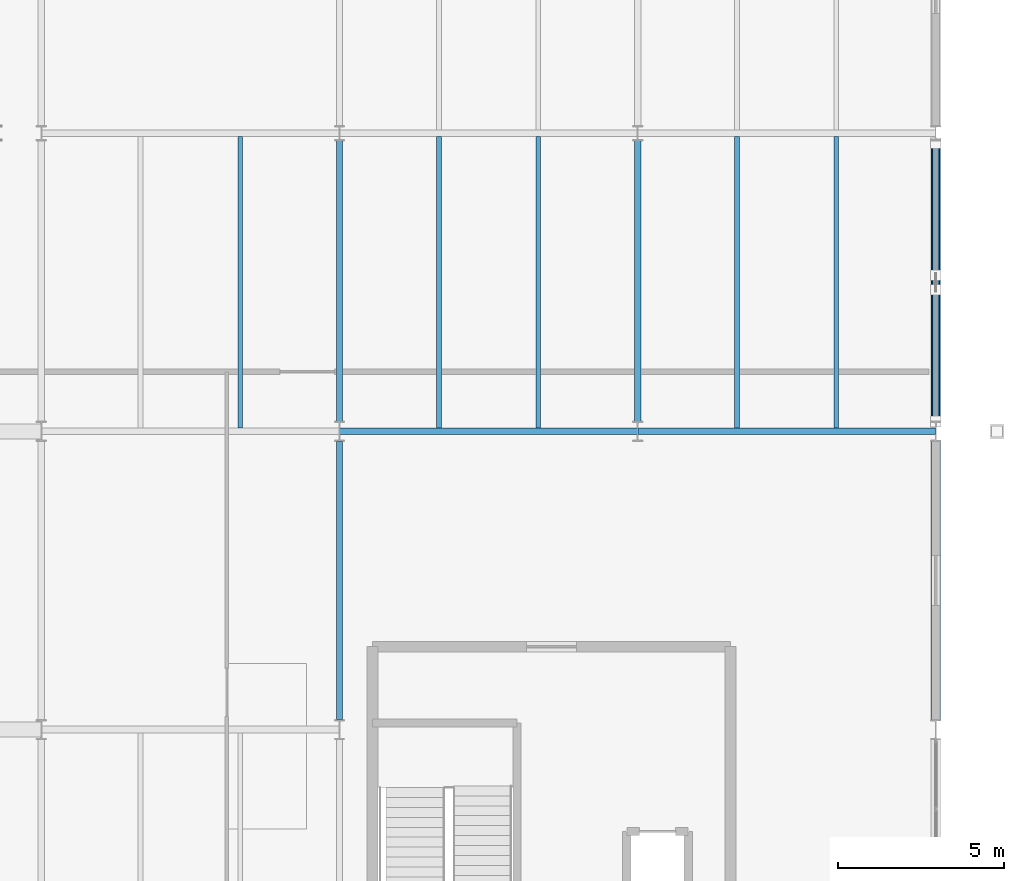
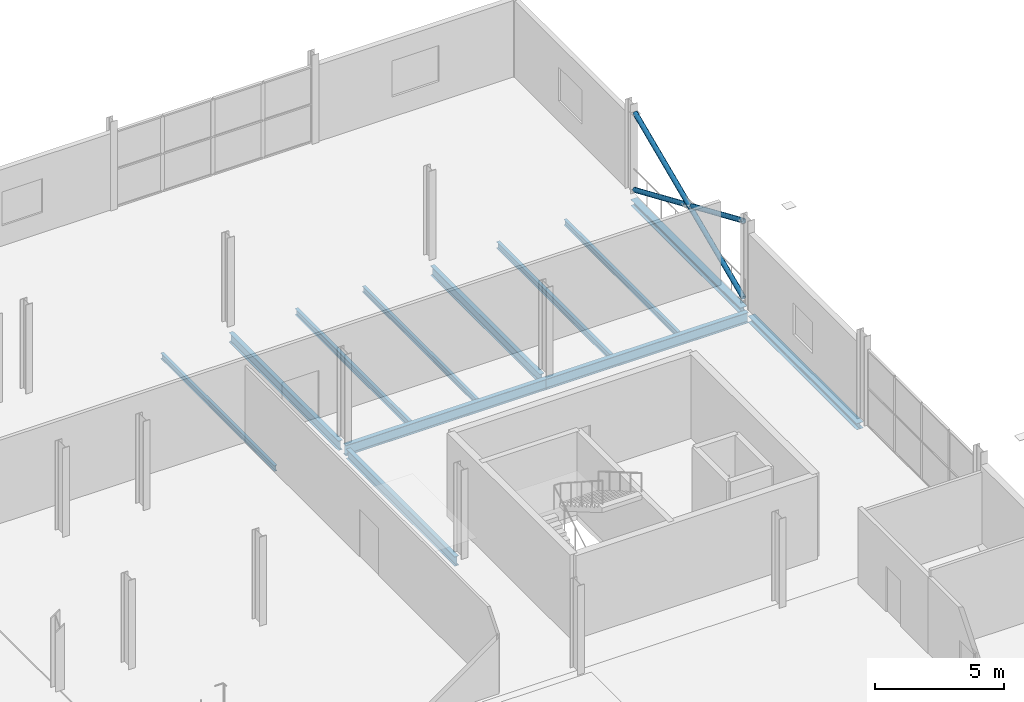
# One storey, part 95 of 132: 12 beams, 3 members.
"""IFC4 building model written with IfcOpenShell, lengths in metres."""

from ifc_helpers import new_model, si_unit, direction, frame, origin, origin_2d, place, context, subcontext, project, spatial, hollow_circle, i_section, extrude, material, material_profile, profile_set, type_object, element, save


model = new_model("IFC4")

# Units and contexts
model_context = context("Model", 3, precision=1e-05, world=origin(), true_north=direction((0.0, 1.0)))
body_context = subcontext(model_context, "Body", "Model", "MODEL_VIEW")
ifc_project = project(units=[si_unit("LENGTHUNIT", "METRE"), si_unit("AREAUNIT", "SQUARE_METRE"), si_unit("VOLUMEUNIT", "CUBIC_METRE"), si_unit("PLANEANGLEUNIT", "RADIAN"), si_unit("MASSUNIT", "GRAM", prefix="KILO")], contexts=[model_context])

# Site, building, storey
site_placement = place(None, origin())
site = spatial("IfcSite", under=ifc_project, at=site_placement, CompositionType="ELEMENT")
building_placement = place(site_placement, origin())
building = spatial("IfcBuilding", under=site, at=building_placement, Name="Deido Ridge Mobility Hub", CompositionType="ELEMENT")
storey_placement = place(building_placement, frame((0.0, 0.0, 8.39990234375)))
storey = spatial("IfcBuildingStorey", under=building, at=storey_placement, Name="L02", CompositionType="ELEMENT", Elevation=8.39990234375)

# Beams
ifc_material_1 = material(Name="Steel S355J2 EN 10025-2", Category="steel")
ifc_material_profile_1 = material_profile(ifc_material_1, i_section(OverallWidth=0.18994140625, OverallDepth=0.449951171875, WebThickness=0.009521484375, FlangeThickness=0.0146484375, FilletRadius=0.02099609375, at=origin_2d()), Name="IPE 450")
ifc_profile_set_1 = profile_set([ifc_material_profile_1], Name="Steel S355J2 EN 10025-2")
beam_type_1 = type_object("IfcBeamType", Name="BM-IPE450", PredefinedType="BEAM", material=ifc_profile_set_1)
beam_1_placement = place(storey_placement, frame((162.0, 45.300048828125, -0.47998046875), z_axis=(0.0, 1.0, 0.0), x_axis=(-1.0, 0.0, 0.0)))
element("IfcBeam", 1, at=beam_1_placement, inside=storey, type_object=beam_type_1, Name="Floor beam B4", PredefinedType="BEAM", context=body_context, shape_type="SweptSolid", body=[
    extrude(i_section(OverallWidth=0.18994140625, OverallDepth=0.449951171875, WebThickness=0.009521484375, FlangeThickness=0.0146484375, FilletRadius=0.02099609375, at=origin_2d()), origin(), (0.0, 0.0, 1.0), 8.39990234375),
])
for number, where, z_axis, x_axis, name in (
    (2, (162.0, 54.300048828125, -0.47998046875), (0.0, 1.0, 0.0), (-1.0, 0.0, 0.0), "Floor beam B4"),
    (3, (171.0, 54.300048828125, -0.47998046875), (0.0, 1.0, 0.0), (-1.0, 0.0, 0.0), "Floor beam B4"),
):
    element("IfcBeam", number, at=place(storey_placement, frame(where, z_axis=z_axis, x_axis=x_axis)), inside=storey, type_object=beam_type_1, Name=name, PredefinedType="BEAM", context=body_context, shape_type="SweptSolid", body=[
        extrude(i_section(OverallWidth=0.18994140625, OverallDepth=0.449951171875, WebThickness=0.009521484375, FlangeThickness=0.0146484375, FilletRadius=0.02099609375, at=origin_2d()), origin(), (0.0, 0.0, 1.0), 8.474853515625),
    ])
ifc_material_profile_2 = material_profile(ifc_material_1, i_section(OverallWidth=0.199951171875, OverallDepth=0.5, WebThickness=0.01025390625, FlangeThickness=0.01611328125, FilletRadius=0.02099609375, at=origin_2d()), Name="IPE 500")
ifc_profile_set_2 = profile_set([ifc_material_profile_2], Name="Steel S355J2 EN 10025-2")
beam_type_2 = type_object("IfcBeamType", Name="BM-IPE500", PredefinedType="BEAM", material=ifc_profile_set_2)
for number, where, z_axis, x_axis, name in (
    (4, (162.0078125, 54.0, -0.5048828125), (1.0, 0.0, 0.0), (0.0, 1.0, 0.0), "Floor beam B3"),
    (5, (171.0078125, 54.0, -0.5048828125), (1.0, 0.0, 0.0), (0.0, 1.0, 0.0), "Floor beam B3"),
):
    element("IfcBeam", number, at=place(storey_placement, frame(where, z_axis=z_axis, x_axis=x_axis)), inside=storey, type_object=beam_type_2, Name=name, PredefinedType="BEAM", context=body_context, shape_type="SweptSolid", body=[
        extrude(i_section(OverallWidth=0.199951171875, OverallDepth=0.5, WebThickness=0.01025390625, FlangeThickness=0.01611328125, FilletRadius=0.02099609375, at=origin_2d()), origin(), (0.0, 0.0, 1.0), 8.984375),
    ])
ifc_material_profile_3 = material_profile(ifc_material_1, i_section(OverallWidth=0.135009765625, OverallDepth=0.27001953125, WebThickness=0.006591796875, FlangeThickness=0.01025390625, FilletRadius=0.014892578125, at=origin_2d()), Name="IPE 270")
ifc_profile_set_3 = profile_set([ifc_material_profile_3], Name="Steel S355J2 EN 10025-2")
beam_type_3 = type_object("IfcBeamType", Name="JST-IPE270", PredefinedType="JOIST", material=ifc_profile_set_3)
for number, where, z_axis, x_axis, name in (
    (6, (159.0, 54.10009765625, -0.389892578125), (0.0, 1.0, 0.0), (-1.0, 0.0, 0.0), "Composite joist J4"),
    (7, (168.0, 54.10009765625, -0.389892578125), (0.0, 1.0, 0.0), (-1.0, 0.0, 0.0), "Composite joist J4"),
    (8, (177.0, 54.10009765625, -0.389892578125), (0.0, 1.0, 0.0), (-1.0, 0.0, 0.0), "Composite joist J4"),
):
    element("IfcBeam", number, at=place(storey_placement, frame(where, z_axis=z_axis, x_axis=x_axis)), inside=storey, type_object=beam_type_3, Name=name, PredefinedType="JOIST", context=body_context, shape_type="SweptSolid", body=[
        extrude(i_section(OverallWidth=0.135009765625, OverallDepth=0.27001953125, WebThickness=0.006591796875, FlangeThickness=0.01025390625, FilletRadius=0.014892578125, at=origin_2d()), origin(), (0.0, 0.0, 1.0), 8.7998046875),
    ])
ifc_material_profile_4 = material_profile(ifc_material_1, i_section(OverallWidth=0.14990234375, OverallDepth=0.300048828125, WebThickness=0.007080078125, FlangeThickness=0.0107421875, FilletRadius=0.014892578125, at=origin_2d()), Name="IPE 300")
ifc_profile_set_4 = profile_set([ifc_material_profile_4], Name="Steel S355J2 EN 10025-2")
beam_type_4 = type_object("IfcBeamType", Name="JST-IPE300", PredefinedType="JOIST", material=ifc_profile_set_4)
for number, where, z_axis, x_axis, name in (
    (9, (165.0, 54.10009765625, -0.40478515625), (0.0, 1.0, 0.0), (-1.0, 0.0, 0.0), "Composite joist J3"),
    (10, (174.0, 54.10009765625, -0.40478515625), (0.0, 1.0, 0.0), (-1.0, 0.0, 0.0), "Composite joist J3"),
):
    element("IfcBeam", number, at=place(storey_placement, frame(where, z_axis=z_axis, x_axis=x_axis)), inside=storey, type_object=beam_type_4, Name=name, PredefinedType="JOIST", context=body_context, shape_type="SweptSolid", body=[
        extrude(i_section(OverallWidth=0.14990234375, OverallDepth=0.300048828125, WebThickness=0.007080078125, FlangeThickness=0.0107421875, FilletRadius=0.014892578125, at=origin_2d()), origin(), (0.0, 0.0, 1.0), 8.7998046875),
    ])

# Members
ifc_material_2 = material(Name="Steel S355J2H EN 10210-1", Category="steel")
ifc_material_profile_5 = material_profile(ifc_material_2, hollow_circle(Radius=0.109619140625, WallThickness=0.010009765625, at=origin_2d()), Name="CHS 219.1x10")
ifc_profile_set_5 = profile_set([ifc_material_profile_5], Name="Steel S355J2H EN 10210-1")
member_type = type_object("IfcMemberType", Name="MEM-BRC-CHS219", PredefinedType="BRACE", material=ifc_profile_set_5)
member_placement = place(storey_placement, frame((180.0, 54.300048828125, 0.18017578125), z_axis=(0.0, 0.917558219799, 0.397601450299), x_axis=(-1.0, 0.0, 0.0)))
element("IfcMember", 11, at=member_placement, inside=storey, type_object=member_type, Name="Continuous X-brace diagonal BR2", PredefinedType="BRACE", context=body_context, shape_type="SweptSolid", body=[
    extrude(hollow_circle(Radius=0.109619140625, WallThickness=0.010009765625, at=origin_2d()), origin(), (0.0, 0.0, 1.0), 9.154541015625),
])
for number, where, z_axis, x_axis, name in (
    (12, (180.0, 62.699951171875, 0.18017578125), (0.0, -0.917550833654, 0.397618495119), (1.0, 0.0, 0.0), "Split X-brace diagonal segment BR2"),
    (13, (180.0, 58.27978515625, 2.095458984375), (0.0, -0.917550833654, 0.397618495119), (1.0, 0.0, 0.0), "Split X-brace diagonal segment BR2"),
):
    element("IfcMember", number, at=place(storey_placement, frame(where, z_axis=z_axis, x_axis=x_axis)), inside=storey, type_object=member_type, Name=name, PredefinedType="BRACE", context=body_context, shape_type="SweptSolid", body=[
        extrude(hollow_circle(Radius=0.109619140625, WallThickness=0.010009765625, at=origin_2d()), origin(), (0.0, 0.0, 1.0), 4.33740234375),
    ])

# Beams
ifc_material_profile_6 = material_profile(ifc_material_1, i_section(OverallWidth=0.300048828125, OverallDepth=0.300048828125, WebThickness=0.010986328125, FlangeThickness=0.01904296875, FilletRadius=0.027099609375, at=origin_2d()), Name="HEB 300")
ifc_profile_set_6 = profile_set([ifc_material_profile_6], Name="Steel S355J2 EN 10025-2")
beam_type_5 = type_object("IfcBeamType", Name="SPD-HEB300", PredefinedType="SPANDREL", material=ifc_profile_set_6)
beam_2_placement = place(storey_placement, frame((180.0, 45.300048828125, -0.40478515625), z_axis=(0.0, 1.0, 0.0), x_axis=(-1.0, 0.0, 0.0)))
element("IfcBeam", 14, at=beam_2_placement, inside=storey, type_object=beam_type_5, Name="Floor beam SP1", PredefinedType="SPANDREL", context=body_context, shape_type="SweptSolid", body=[
    extrude(i_section(OverallWidth=0.300048828125, OverallDepth=0.300048828125, WebThickness=0.010986328125, FlangeThickness=0.01904296875, FilletRadius=0.027099609375, at=origin_2d()), origin(), (0.0, 0.0, 1.0), 8.39990234375),
])
beam_3_placement = place(storey_placement, frame((180.0, 54.300048828125, -0.40478515625), z_axis=(0.0, 1.0, 0.0), x_axis=(-1.0, 0.0, 0.0)))
element("IfcBeam", 15, at=beam_3_placement, inside=storey, type_object=beam_type_5, Name="Floor beam SP1", PredefinedType="SPANDREL", context=body_context, shape_type="SweptSolid", body=[
    extrude(i_section(OverallWidth=0.300048828125, OverallDepth=0.300048828125, WebThickness=0.010986328125, FlangeThickness=0.01904296875, FilletRadius=0.027099609375, at=origin_2d()), origin(), (0.0, 0.0, 1.0), 8.474853515625),
])

save(model, "model.ifc")
